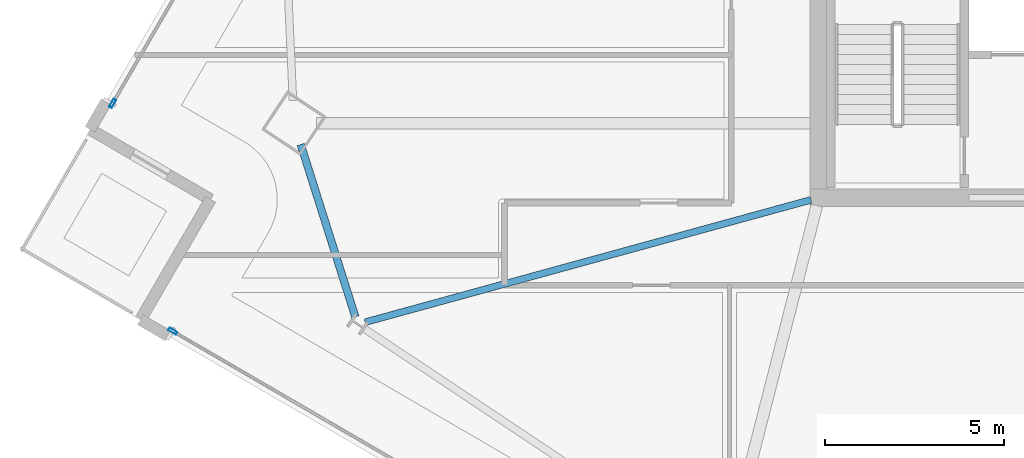
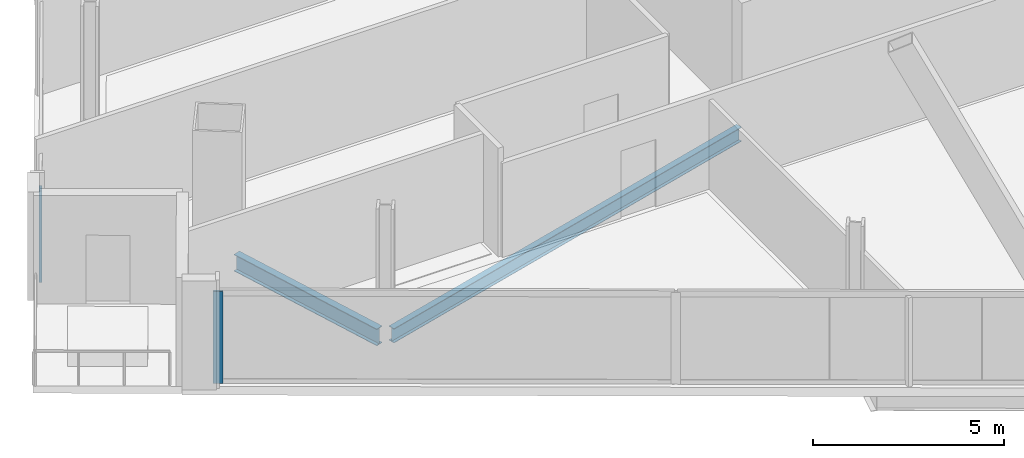
# One storey, part 5 of 29: 2 beams, 2 members, 2 elements without a shape of their own.
"""IFC4 building model written with IfcOpenShell, lengths in metres."""

from ifc_helpers import new_model, si_unit, direction, frame, origin, origin_2d, place, context, subcontext, project, spatial, hollow_rectangle, i_section, extrude, material, material_profile, profile_set, type_object, element, aggregate, save


model = new_model("IFC4")

# Units and contexts
model_context = context("Model", 3, precision=1e-05, world=origin(), true_north=direction((0.0, 1.0)))
body_context = subcontext(model_context, "Body", "Model", "MODEL_VIEW")
ifc_project = project(units=[si_unit("LENGTHUNIT", "METRE"), si_unit("AREAUNIT", "SQUARE_METRE"), si_unit("VOLUMEUNIT", "CUBIC_METRE"), si_unit("PLANEANGLEUNIT", "RADIAN"), si_unit("MASSUNIT", "GRAM", prefix="KILO")], contexts=[model_context])

# Site, building, storey
site_placement = place(None, origin())
site = spatial("IfcSite", under=ifc_project, at=site_placement, CompositionType="ELEMENT")
building_placement = place(site_placement, origin())
building = spatial("IfcBuilding", under=site, at=building_placement, Name="Haldenkirk Collegiate Tower", CompositionType="ELEMENT")
storey_placement = place(building_placement, frame((0.0, 0.0, 228.449951171875)))
storey = spatial("IfcBuildingStorey", under=building, at=storey_placement, Name="L57", CompositionType="ELEMENT", Elevation=228.449951171875)

# Beams
ifc_material_1 = material(Name="Steel ASTM A992 Grade 50", Category="steel")
ifc_material_profile_1 = material_profile(ifc_material_1, i_section(OverallWidth=0.18994140625, OverallDepth=0.45703125, WebThickness=0.009033203125, FlangeThickness=0.014404296875, at=origin_2d()), Name="W18X50")
ifc_profile_set_1 = profile_set([ifc_material_profile_1], Name="Steel ASTM A992 Grade 50")
beam_type_1 = type_object("IfcBeamType", Name="BM-JOIST-W18X50", PredefinedType="JOIST", material=ifc_profile_set_1)
beam_1_placement = place(storey_placement, frame((14.2978515625, 14.514892578125, -0.508544921875), z_axis=(0.964359566427, 0.264595212807, 0.0), x_axis=(-0.264595212807, 0.964359566427, 0.0)))
element("IfcBeam", 1, at=beam_1_placement, inside=storey, type_object=beam_type_1, Name="L57 composite floor joist 14", PredefinedType="JOIST", context=body_context, shape_type="SweptSolid", body=[
    extrude(i_section(OverallWidth=0.18994140625, OverallDepth=0.45703125, WebThickness=0.009033203125, FlangeThickness=0.014404296875, at=origin_2d()), origin(), (0.0, 0.0, 1.0), 12.941650390625),
])
ifc_material_profile_2 = material_profile(ifc_material_1, i_section(OverallWidth=0.2099609375, OverallDepth=0.537109375, WebThickness=0.010986328125, FlangeThickness=0.017333984375, at=origin_2d()), Name="W21X68")
ifc_profile_set_2 = profile_set([ifc_material_profile_2], Name="Steel ASTM A992 Grade 50")
beam_type_2 = type_object("IfcBeamType", Name="BM-SPANDREL-W21X68", PredefinedType="SPANDREL", material=ifc_profile_set_2)
beam_2_placement = place(storey_placement, frame((12.494873046875, 19.489013671875, -0.54833984375), z_axis=(0.301937009704, -0.95332787758, 0.0), x_axis=(0.95332787758, 0.301937009704, 0.0)))
element("IfcBeam", 2, at=beam_2_placement, inside=storey, type_object=beam_type_2, Name="L57 perimeter spandrel beam 13", PredefinedType="SPANDREL", context=body_context, shape_type="SweptSolid", body=[
    extrude(i_section(OverallWidth=0.2099609375, OverallDepth=0.537109375, WebThickness=0.010986328125, FlangeThickness=0.017333984375, at=origin_2d()), origin(), (0.0, 0.0, 1.0), 5.060791015625),
])

# Curtain wall, member
ifc_material_2 = material(Name="Anodised architectural bronze aluminium", Category="aluminium")
curtain_wall_type = type_object("IfcCurtainWallType", Name="CW-SYS1B-CONVEX-HI", PredefinedType="USERDEFINED", material=ifc_material_2)
curtain_wall_1_placement = place(storey_placement, origin())
curtain_wall_1 = element("IfcCurtainWall", 3, at=curtain_wall_1_placement, inside=storey, type_object=curtain_wall_type, Name="L57 Upper tower high-wind convex bronze unitised curtain wall", ObjectType="UNITISED CURTAIN WALL", PredefinedType="USERDEFINED")
ifc_material_profile_3 = material_profile(ifc_material_2, hollow_rectangle(XDim=0.0849609375, YDim=0.25, WallThickness=0.0048828125, at=origin_2d()), Name="CW-MUL-1B")
ifc_profile_set_3 = profile_set([ifc_material_profile_3], Name="Anodised architectural bronze aluminium")
member_type = type_object("IfcMemberType", Name="CW-MUL-1B", PredefinedType="MULLION", material=ifc_profile_set_3)
member_1_placement = place(storey_placement, frame((7.2275390625, 20.637939453125, 0.0), z_axis=(0.0, 0.0, 1.0), x_axis=(-0.864274888861, 0.503019797309, 0.0)))
member_1 = element("IfcMember", 4, at=member_1_placement, type_object=member_type, Name="CW-1B mullion 1", PredefinedType="MULLION", context=body_context, shape_type="SweptSolid", body=[
    extrude(hollow_rectangle(XDim=0.0849609375, YDim=0.25, WallThickness=0.0048828125, at=origin_2d()), origin(), (0.0, 0.0, 1.0), 2.927978515625),
])
aggregate(curtain_wall_1, [member_1])

curtain_wall_2_placement = place(storey_placement, origin())
curtain_wall_2 = element("IfcCurtainWall", 5, at=curtain_wall_2_placement, inside=storey, type_object=curtain_wall_type, Name="L57 Upper tower high-wind convex bronze unitised curtain wall", ObjectType="UNITISED CURTAIN WALL", PredefinedType="USERDEFINED")
member_2_placement = place(storey_placement, frame((8.911865234375, 14.262939453125, 0.0), z_axis=(0.0, 0.0, 1.0), x_axis=(-0.503017981006, -0.864275945972, 0.0)))
member_2 = element("IfcMember", 6, at=member_2_placement, type_object=member_type, Name="CW-1B mullion 4", PredefinedType="MULLION", context=body_context, shape_type="SweptSolid", body=[
    extrude(hollow_rectangle(XDim=0.0849609375, YDim=0.25, WallThickness=0.0048828125, at=origin_2d()), origin(), (0.0, 0.0, 1.0), 2.927978515625),
])
aggregate(curtain_wall_2, [member_2])

save(model, "model.ifc")
